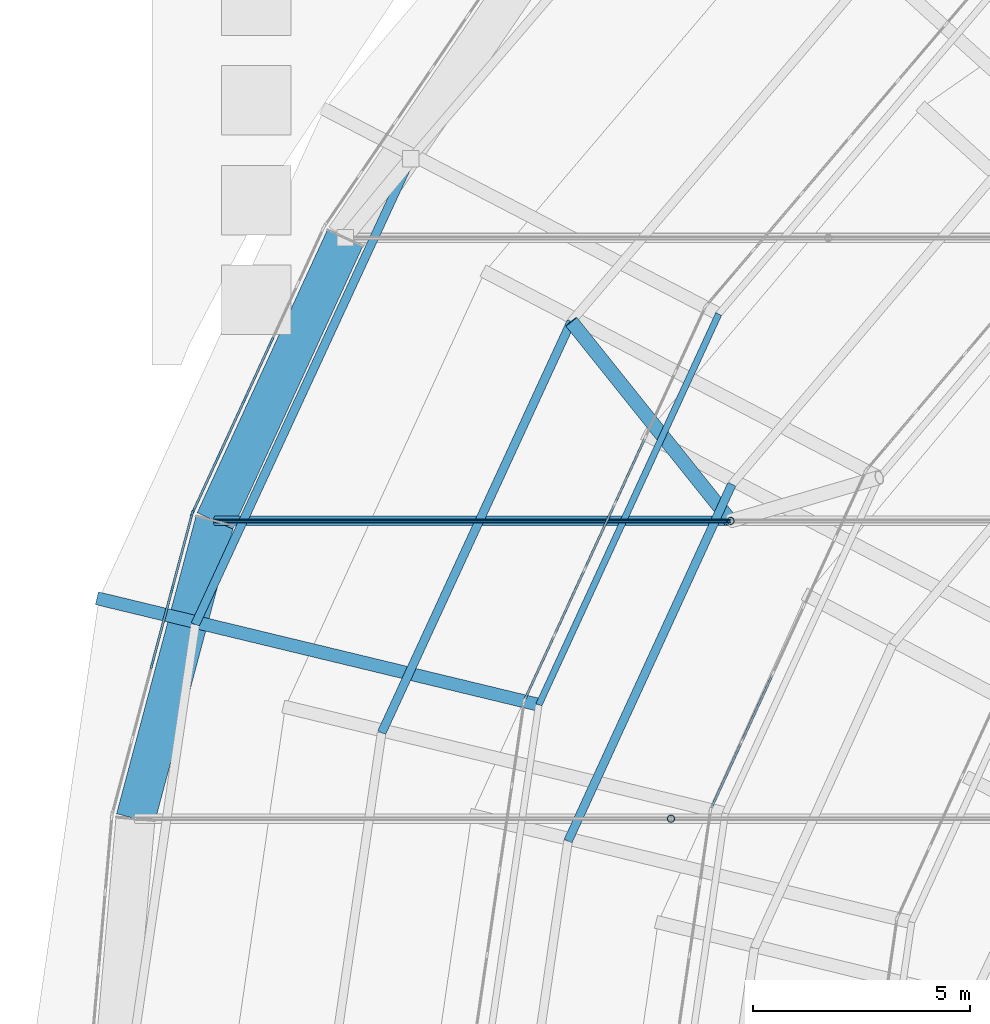
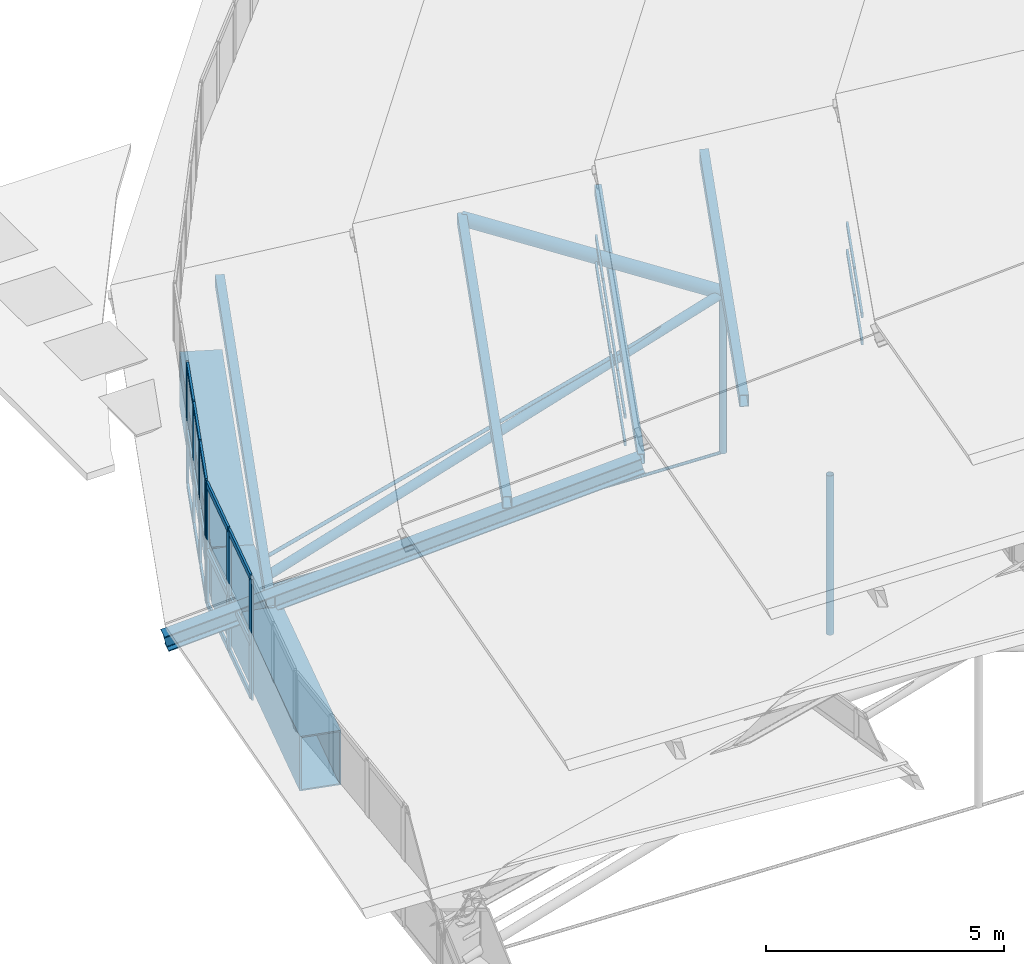
# One storey, part 43 of 173: 45 members, 2 beams, 4 elements without a shape of their own.
"""IFC4 building model written with IfcOpenShell, lengths in metres."""

import ifcopenshell
import ifcopenshell.guid

model = None  # the IFC model being written
_history = None  # IfcOwnerHistory: only IFC2X3 demands one
_inside = {}  # id of a spatial element -> (the spatial element, [elements in it])
_under = {}  # id of a project, library or spatial element -> (it, [spatial elements below it])
_declared = {}  # id of a project -> (the project, [libraries it declares])
_typed = {}  # id of a type object -> (the type object, [elements of that type])
_made_of = {}  # id of a material, layer set ... -> (it, [elements and type objects made of it])


def new_model(schema):
    """Start an empty IFC model of exactly this schema.

    Asked for "IFC4X3", IfcOpenShell would pick the latest addendum, in which some entities
    have other attributes; the version numbers below select the first issue.
    IFC2X3 requires an IfcOwnerHistory on every rooted entity: one is made here for all.
    """
    global model, _history
    if schema == "IFC4X3":
        model = ifcopenshell.file(schema_version=(4, 3, 0, 0))
    else:
        model = ifcopenshell.file(schema=schema)
    _inside.clear()
    _under.clear()
    _declared.clear()
    _typed.clear()
    _made_of.clear()
    _history = None
    if model.schema == "IFC2X3":
        org = make("IfcOrganization", Name="unknown")
        user = make(
            "IfcPersonAndOrganization",
            ThePerson=make("IfcPerson", FamilyName="unknown"),
            TheOrganization=org,
        )
        app = make(
            "IfcApplication",
            ApplicationDeveloper=org,
            Version="unknown",
            ApplicationFullName="unknown",
            ApplicationIdentifier="unknown",
        )
        _history = make(
            "IfcOwnerHistory",
            OwningUser=user,
            OwningApplication=app,
            ChangeAction="ADDED",
            CreationDate=0,
        )
    return model


def make(cls, **values):
    """One entity of the class cls with the attributes given. An attribute that is None is left unset."""
    return model.create_entity(
        cls, **{name: value for name, value in values.items() if value is not None}
    )


def rooted(cls, **values):
    """An entity with a GlobalId (a new one), such as an element, a storey or a relation."""
    return make(cls, GlobalId=ifcopenshell.guid.new(), OwnerHistory=_history, **values)


def si_unit(unit_type, name, prefix=None):
    """IfcSIUnit, for example si_unit("LENGTHUNIT", "METRE", prefix="MILLI")."""
    return make("IfcSIUnit", UnitType=unit_type, Prefix=prefix, Name=name)


def assignment(units):
    """IfcUnitAssignment: the units of a project."""
    return None if units is None else make("IfcUnitAssignment", Units=units)


def point(xyz):
    """IfcCartesianPoint."""
    return None if xyz is None else make("IfcCartesianPoint", Coordinates=xyz)


def direction(xyz):
    """IfcDirection."""
    return None if xyz is None else make("IfcDirection", DirectionRatios=xyz)


def frame(location, z_axis=None, x_axis=None):
    """IfcAxis2Placement3D, a coordinate frame: its origin and axes. An axis left out is left unset."""
    return make(
        "IfcAxis2Placement3D",
        Location=point(location),
        Axis=direction(z_axis),
        RefDirection=direction(x_axis),
    )


def frame_2d(location, x_axis=None):
    """IfcAxis2Placement2D, a coordinate frame in the plane: its origin and x axis."""
    return make(
        "IfcAxis2Placement2D", Location=point(location), RefDirection=direction(x_axis)
    )


def origin():
    """The frame at (0, 0, 0) with its axes left unset."""
    return frame((0.0, 0.0, 0.0))


def origin_2d():
    """The frame at (0, 0) in the plane with its x axis left unset."""
    return frame_2d((0.0, 0.0))


def place(relative_to, where):
    """IfcLocalPlacement: puts the frame where relative to a parent placement (None: the world)."""
    return make(
        "IfcLocalPlacement", PlacementRelTo=relative_to, RelativePlacement=where
    )


def context(
    kind, dimensions, precision=None, world=None, true_north=None, identifier=None
):
    """IfcGeometricRepresentationContext, for example the 3D "Model" context."""
    return make(
        "IfcGeometricRepresentationContext",
        ContextIdentifier=identifier,
        ContextType=kind,
        CoordinateSpaceDimension=dimensions,
        Precision=precision,
        WorldCoordinateSystem=world,
        TrueNorth=true_north,
    )


def subcontext(parent, identifier, kind, view, scale=None):
    """IfcGeometricRepresentationSubContext, for example "Body" below "Model"."""
    return make(
        "IfcGeometricRepresentationSubContext",
        ContextIdentifier=identifier,
        ContextType=kind,
        ParentContext=parent,
        TargetScale=scale,
        TargetView=view,
    )


def project(units=None, contexts=None):
    """IfcProject with its units and contexts."""
    return rooted(
        "IfcProject",
        Name="project",
        RepresentationContexts=contexts,
        UnitsInContext=assignment(units),
    )


def spatial(cls, under=None, at=None, **own):
    """A site, building, storey or space (cls), placed at a placement, below another one or the project."""
    s = rooted(cls, ObjectPlacement=at, **own)
    if under is not None:
        _under.setdefault(under.id(), (under, []))[1].append(s)
    return s


def profile(cls, at=None, kind="AREA", **sizes):
    """A parametric profile (cls). Its sizes go by their IFC names, for example OverallWidth=200.0."""
    return make(cls, ProfileType=kind, Position=at, **sizes)


def rectangle(**sizes):
    """IfcRectangleProfileDef."""
    return profile("IfcRectangleProfileDef", **sizes)


def hollow_rectangle(**sizes):
    """IfcRectangleHollowProfileDef."""
    return profile("IfcRectangleHollowProfileDef", **sizes)


def circle(**sizes):
    """IfcCircleProfileDef."""
    return profile("IfcCircleProfileDef", **sizes)


def hollow_circle(**sizes):
    """IfcCircleHollowProfileDef."""
    return profile("IfcCircleHollowProfileDef", **sizes)


def i_section(**sizes):
    """IfcIShapeProfileDef."""
    return profile("IfcIShapeProfileDef", **sizes)


def extrude(swept, where, along, depth):
    """IfcExtrudedAreaSolid: the profile swept, set in the frame where, extruded along a direction by depth."""
    return make(
        "IfcExtrudedAreaSolid",
        SweptArea=swept,
        Position=where,
        ExtrudedDirection=direction(along),
        Depth=depth,
    )


def shape(context_of_items, identifier, shape_type, items):
    """IfcShapeRepresentation: the items that make up one representation, for example the "Body"."""
    return make(
        "IfcShapeRepresentation",
        ContextOfItems=context_of_items,
        RepresentationIdentifier=identifier,
        RepresentationType=shape_type,
        Items=items,
    )


def material(Name=None, Category=None):
    """IfcMaterial."""
    return make("IfcMaterial", Name=Name, Category=Category)


def material_profile(
    of_material, cross_section, Name=None, Category=None, Priority=None
):
    """IfcMaterialProfile: a cross section and its material."""
    return make(
        "IfcMaterialProfile",
        Name=Name,
        Material=of_material,
        Profile=cross_section,
        Priority=Priority,
        Category=Category,
    )


def profile_set(profiles, Name=None, composite=None):
    """IfcMaterialProfileSet."""
    return make(
        "IfcMaterialProfileSet",
        Name=Name,
        MaterialProfiles=profiles,
        CompositeProfile=composite,
    )


def made_of(thing, what):
    """Note that an element or type object is made of a material, layer set ...; save() writes the relation."""
    if what is not None:
        _made_of.setdefault(what.id(), (what, []))[1].append(thing)
    return thing


def type_object(cls, material=None, **own):
    """A type object (cls), such as IfcWallType, which elements share."""
    return made_of(rooted(cls, **own), material)


def element(
    cls,
    number,
    at=None,
    inside=None,
    cuts=None,
    type_object=None,
    material=None,
    context=None,
    identifier="Body",
    shape_type=None,
    held_by="IfcProductDefinitionShape",
    body=None,
    shapes=None,
    **own,
):
    """One element of the class cls, such as IfcWall. Its Tag is "e" and its number.

    at: its placement. inside: the storey or other place that contains it. cuts: it is an
    opening in that element (IfcRelVoidsElement). A single representation is given by context,
    identifier, shape_type and body (its items); several are given by shapes. held_by: the class
    of the entity that holds the representations. save() writes the other relations.
    """
    e = rooted(cls, Tag="e%d" % number, ObjectPlacement=at, **own)
    if body is not None:
        shapes = [shape(context, identifier, shape_type, body)]
    if shapes is not None:
        e.Representation = make(held_by, Representations=shapes)
    if inside is not None:
        _inside.setdefault(inside.id(), (inside, []))[1].append(e)
    if cuts is not None:
        rooted(
            "IfcRelVoidsElement", RelatingBuildingElement=cuts, RelatedOpeningElement=e
        )
    if type_object is not None:
        _typed.setdefault(type_object.id(), (type_object, []))[1].append(e)
    return made_of(e, material)


def aggregate(whole, parts):
    """IfcRelAggregates: a whole, such as a stair, and the parts it consists of."""
    return rooted("IfcRelAggregates", RelatingObject=whole, RelatedObjects=parts)


def save(model, path):
    """Write the relations noted so far, then the file.

    IfcRelAggregates (storeys below a building ...), IfcRelContainedInSpatialStructure (elements
    in a storey), IfcRelDefinesByType, IfcRelAssociatesMaterial and IfcRelDeclares: one each for
    every whole, place, type object, material and project.
    """
    for whole, parts in _under.values():
        aggregate(whole, parts)
    for where, things in _inside.values():
        rooted(
            "IfcRelContainedInSpatialStructure",
            RelatedElements=things,
            RelatingStructure=where,
        )
    for kind, things in _typed.values():
        rooted("IfcRelDefinesByType", RelatedObjects=things, RelatingType=kind)
    for what, things in _made_of.values():
        rooted("IfcRelAssociatesMaterial", RelatedObjects=things, RelatingMaterial=what)
    for by, libraries in _declared.values():
        rooted("IfcRelDeclares", RelatingContext=by, RelatedDefinitions=libraries)
    model.write(path)


model = new_model("IFC4")

# Units and contexts
model_context = context("Model", 3, precision=1e-05, world=origin(), true_north=direction((0.0, 1.0)))
body_context = subcontext(model_context, "Body", "Model", "MODEL_VIEW")
ifc_project = project(units=[si_unit("LENGTHUNIT", "METRE"), si_unit("AREAUNIT", "SQUARE_METRE"), si_unit("VOLUMEUNIT", "CUBIC_METRE"), si_unit("PLANEANGLEUNIT", "RADIAN"), si_unit("MASSUNIT", "GRAM", prefix="KILO")], contexts=[model_context])

# Site, building, storey
site_placement = place(None, origin())
site = spatial("IfcSite", under=ifc_project, at=site_placement, CompositionType="ELEMENT")
building_placement = place(site_placement, origin())
building = spatial("IfcBuilding", under=site, at=building_placement, Name="Glasvene Arena", CompositionType="ELEMENT")
storey_placement = place(building_placement, frame((0.0, 0.0, 28.800048828125)))
storey = spatial("IfcBuildingStorey", under=building, at=storey_placement, Name="RF", CompositionType="ELEMENT", Elevation=28.800048828125)

# Beams
ifc_material_1 = material(Name="Steel S355J2", Category="steel")
ifc_material_profile_1 = material_profile(ifc_material_1, hollow_rectangle(XDim=0.89990234375, YDim=1.39990234375, WallThickness=0.034912109375, at=origin_2d()), Name="WBOX 900x1400x35")
ifc_profile_set_1 = profile_set([ifc_material_profile_1], Name="Steel S355J2")
beam_type = type_object("IfcBeamType", Name="BM-RING-BOX1400", PredefinedType="USERDEFINED", material=ifc_profile_set_1)
beam_1_placement = place(storey_placement, frame((47.44970703125, 93.4296875, -0.699951171875), z_axis=(-0.418070582056, -0.908414546569, 0.0), x_axis=(0.908414546569, -0.418070582056, 0.0)))
element("IfcBeam", 1, at=beam_1_placement, inside=storey, type_object=beam_type, Name="Compression ring beam chord RB-18", ObjectType="RING BEAM", PredefinedType="USERDEFINED", context=body_context, shape_type="SweptSolid", body=[
    extrude(hollow_rectangle(XDim=0.89990234375, YDim=1.39990234375, WallThickness=0.034912109375, at=origin_2d()), origin(), (0.0, 0.0, 1.0), 7.181640625),
])
beam_2_placement = place(storey_placement, frame((44.447265625, 86.90576171875, -0.699951171875), z_axis=(-0.257767425424, -0.966206993553, 0.0), x_axis=(0.966206993553, -0.257767425424, 0.0)))
element("IfcBeam", 2, at=beam_2_placement, inside=storey, type_object=beam_type, Name="Compression ring beam chord RB-19", ObjectType="RING BEAM", PredefinedType="USERDEFINED", context=body_context, shape_type="SweptSolid", body=[
    extrude(hollow_rectangle(XDim=0.89990234375, YDim=1.39990234375, WallThickness=0.034912109375, at=origin_2d()), origin(), (0.0, 0.0, 1.0), 7.1064453125),
])

# Curtain wall, members
ifc_material_2 = material(Name="Low-emissivity laminated double glazing", Category="glass")
curtain_wall_type_1 = type_object("IfcCurtainWallType", Name="CW-DRUM-727x310", PredefinedType="USERDEFINED", material=ifc_material_2)
curtain_wall_1_placement = place(storey_placement, frame((46.959716796875, 93.67919921875, 0.0)))
curtain_wall_1 = element("IfcCurtainWall", 3, at=curtain_wall_1_placement, inside=storey, type_object=curtain_wall_type_1, Name="Crown compression-ring fascia curtain wall 18", ObjectType="CURTAIN WALL", PredefinedType="USERDEFINED")
ifc_material_3 = material(Name="Anodised architectural aluminium", Category="aluminium")
ifc_material_profile_2 = material_profile(ifc_material_3, rectangle(XDim=0.050048828125, YDim=0.199951171875, at=origin_2d()), Name="ALU MULLION 50x200")
ifc_profile_set_2 = profile_set([ifc_material_profile_2], Name="Anodised architectural aluminium")
member_type_1 = type_object("IfcMemberType", Name="CW-MUL-180", PredefinedType="MULLION", material=ifc_profile_set_2)
member_1_placement = place(storey_placement, frame((45.745361328125, 91.037841796875, -1.380126953125), z_axis=(0.0, 0.0, 1.0), x_axis=(0.908603046232, -0.417660752738, 0.0)))
member_1 = element("IfcMember", 4, at=member_1_placement, type_object=member_type_1, Name="CW-073 mullion 3", PredefinedType="MULLION", context=body_context, shape_type="SweptSolid", body=[
    extrude(rectangle(XDim=0.050048828125, YDim=0.199951171875, at=origin_2d()), origin(), (0.0, 0.0, 1.0), 3.10009765625),
])
member_2_placement = place(storey_placement, frame((45.13818359375, 89.717041015625, -1.380126953125), z_axis=(0.0, 0.0, 1.0), x_axis=(0.908603046232, -0.417660752738, 0.0)))
member_2 = element("IfcMember", 5, at=member_2_placement, type_object=member_type_1, Name="CW-073 mullion 4", PredefinedType="MULLION", context=body_context, shape_type="SweptSolid", body=[
    extrude(rectangle(XDim=0.050048828125, YDim=0.199951171875, at=origin_2d()), origin(), (0.0, 0.0, 1.0), 3.10009765625),
])
member_3_placement = place(storey_placement, frame((44.53125, 88.396484375, -1.380126953125), z_axis=(0.0, 0.0, 1.0), x_axis=(0.908603046232, -0.417660752738, 0.0)))
member_3 = element("IfcMember", 6, at=member_3_placement, type_object=member_type_1, Name="CW-073 mullion 5", PredefinedType="MULLION", context=body_context, shape_type="SweptSolid", body=[
    extrude(rectangle(XDim=0.050048828125, YDim=0.199951171875, at=origin_2d()), origin(), (0.0, 0.0, 1.0), 3.10009765625),
])
member_4_placement = place(storey_placement, frame((43.9345703125, 87.098388671875, -1.380126953125), z_axis=(0.0, 0.0, 1.0), x_axis=(0.908603046232, -0.417660752738, 0.0)))
member_4 = element("IfcMember", 7, at=member_4_placement, type_object=member_type_1, Name="CW-073 mullion 6", PredefinedType="MULLION", context=body_context, shape_type="SweptSolid", body=[
    extrude(rectangle(XDim=0.050048828125, YDim=0.199951171875, at=origin_2d()), origin(), (0.0, 0.0, 1.0), 3.10009765625),
])

curtain_wall_type_2 = type_object("IfcCurtainWallType", Name="CW-DRUM-719x310", PredefinedType="USERDEFINED", material=ifc_material_2)
curtain_wall_2_placement = place(storey_placement, frame((43.924072265625, 87.07568359375, 0.0)))
curtain_wall_2 = element("IfcCurtainWall", 8, at=curtain_wall_2_placement, inside=storey, type_object=curtain_wall_type_2, Name="Crown compression-ring fascia curtain wall 19", ObjectType="CURTAIN WALL", PredefinedType="USERDEFINED")
member_5_placement = place(storey_placement, frame((43.917724609375, 87.051513671875, -1.380126953125), z_axis=(0.0, 0.0, 1.0), x_axis=(0.966292374807, -0.257447172039, 0.0)))
member_5 = element("IfcMember", 9, at=member_5_placement, type_object=member_type_1, Name="CW-072 mullion 1", PredefinedType="MULLION", context=body_context, shape_type="SweptSolid", body=[
    extrude(rectangle(XDim=0.050048828125, YDim=0.199951171875, at=origin_2d()), origin(), (0.0, 0.0, 1.0), 3.10009765625),
])
member_6_placement = place(storey_placement, frame((43.461181640625, 85.338134765625, -1.380126953125), z_axis=(0.0, 0.0, 1.0), x_axis=(0.966292374807, -0.257447172039, 0.0)))
member_6 = element("IfcMember", 10, at=member_6_placement, type_object=member_type_1, Name="CW-072 mullion 2", PredefinedType="MULLION", context=body_context, shape_type="SweptSolid", body=[
    extrude(rectangle(XDim=0.050048828125, YDim=0.199951171875, at=origin_2d()), origin(), (0.0, 0.0, 1.0), 3.10009765625),
])
member_7_placement = place(storey_placement, frame((42.998291015625, 83.6005859375, -1.380126953125), z_axis=(0.0, 0.0, 1.0), x_axis=(0.966292374807, -0.257447172039, 0.0)))
member_7 = element("IfcMember", 11, at=member_7_placement, type_object=member_type_1, Name="CW-072 mullion 3", PredefinedType="MULLION", context=body_context, shape_type="SweptSolid", body=[
    extrude(rectangle(XDim=0.050048828125, YDim=0.199951171875, at=origin_2d()), origin(), (0.0, 0.0, 1.0), 3.10009765625),
])

curtain_wall_type_3 = type_object("IfcCurtainWallType", Name="CW-PET1-1001x75", PredefinedType="USERDEFINED", material=ifc_material_2)
curtain_wall_3_placement = place(storey_placement, frame((55.7568359375, 91.85009765625, 0.0)))
curtain_wall_3 = element("IfcCurtainWall", 12, at=curtain_wall_3_placement, inside=storey, type_object=curtain_wall_type_3, Name="Petal ring 1-2 clerestory curtain wall 11", ObjectType="CURTAIN WALL", PredefinedType="USERDEFINED")
ifc_material_profile_3 = material_profile(ifc_material_3, rectangle(XDim=0.050048828125, YDim=0.1201171875, at=origin_2d()), Name="ALU TRANSOM 50x120")
ifc_profile_set_3 = profile_set([ifc_material_profile_3], Name="Anodised architectural aluminium")
member_type_2 = type_object("IfcMemberType", Name="CW-TRN-120", PredefinedType="USERDEFINED", material=ifc_profile_set_3)
member_8_placement = place(storey_placement, frame((54.352783203125, 88.79638671875, 2.60498046875), z_axis=(-0.417823409802, -0.908528259451, 0.0), x_axis=(0.908528259451, -0.417823409802, 0.0)))
member_8 = element("IfcMember", 13, at=member_8_placement, type_object=member_type_2, Name="CW-082 transom 3.1", ObjectType="TRANSOM", PredefinedType="USERDEFINED", context=body_context, shape_type="SweptSolid", body=[
    extrude(rectangle(XDim=0.050048828125, YDim=0.1201171875, at=origin_2d()), origin(), (0.0, 0.0, 1.0), 1.617919921875),
])
member_9_placement = place(storey_placement, frame((54.352783203125, 88.79638671875, 3.304931640625), z_axis=(-0.417823409802, -0.908528259451, 0.0), x_axis=(0.908528259451, -0.417823409802, 0.0)))
member_9 = element("IfcMember", 14, at=member_9_placement, type_object=member_type_2, Name="CW-082 transom 3.2", ObjectType="TRANSOM", PredefinedType="USERDEFINED", context=body_context, shape_type="SweptSolid", body=[
    extrude(rectangle(XDim=0.050048828125, YDim=0.1201171875, at=origin_2d()), origin(), (0.0, 0.0, 1.0), 1.617919921875),
])
member_10_placement = place(storey_placement, frame((53.656005859375, 87.281005859375, 2.60498046875), z_axis=(-0.417823409802, -0.908528259451, 0.0), x_axis=(0.908528259451, -0.417823409802, 0.0)))
member_10 = element("IfcMember", 15, at=member_10_placement, type_object=member_type_2, Name="CW-082 transom 4.1", ObjectType="TRANSOM", PredefinedType="USERDEFINED", context=body_context, shape_type="SweptSolid", body=[
    extrude(rectangle(XDim=0.050048828125, YDim=0.1201171875, at=origin_2d()), origin(), (0.0, 0.0, 1.0), 1.617919921875),
])
member_11_placement = place(storey_placement, frame((53.656005859375, 87.281005859375, 3.304931640625), z_axis=(-0.417823409802, -0.908528259451, 0.0), x_axis=(0.908528259451, -0.417823409802, 0.0)))
member_11 = element("IfcMember", 16, at=member_11_placement, type_object=member_type_2, Name="CW-082 transom 4.2", ObjectType="TRANSOM", PredefinedType="USERDEFINED", context=body_context, shape_type="SweptSolid", body=[
    extrude(rectangle(XDim=0.050048828125, YDim=0.1201171875, at=origin_2d()), origin(), (0.0, 0.0, 1.0), 1.617919921875),
])
member_12_placement = place(storey_placement, frame((52.959228515625, 85.765625, 2.60498046875), z_axis=(-0.417823409802, -0.908528259451, 0.0), x_axis=(0.908528259451, -0.417823409802, 0.0)))
member_12 = element("IfcMember", 17, at=member_12_placement, type_object=member_type_2, Name="CW-082 transom 5.1", ObjectType="TRANSOM", PredefinedType="USERDEFINED", context=body_context, shape_type="SweptSolid", body=[
    extrude(rectangle(XDim=0.050048828125, YDim=0.1201171875, at=origin_2d()), origin(), (0.0, 0.0, 1.0), 1.617919921875),
])
member_13_placement = place(storey_placement, frame((52.959228515625, 85.765625, 3.304931640625), z_axis=(-0.417823409802, -0.908528259451, 0.0), x_axis=(0.908528259451, -0.417823409802, 0.0)))
member_13 = element("IfcMember", 18, at=member_13_placement, type_object=member_type_2, Name="CW-082 transom 5.2", ObjectType="TRANSOM", PredefinedType="USERDEFINED", context=body_context, shape_type="SweptSolid", body=[
    extrude(rectangle(XDim=0.050048828125, YDim=0.1201171875, at=origin_2d()), origin(), (0.0, 0.0, 1.0), 1.617919921875),
])
member_14_placement = place(storey_placement, frame((52.262451171875, 84.250244140625, 2.60498046875), z_axis=(-0.417794288464, -0.908541651509, 0.0), x_axis=(0.908541651509, -0.417794288464, 0.0)))
member_14 = element("IfcMember", 19, at=member_14_placement, type_object=member_type_2, Name="CW-082 transom 6.1", ObjectType="TRANSOM", PredefinedType="USERDEFINED", context=body_context, shape_type="SweptSolid", body=[
    extrude(rectangle(XDim=0.050048828125, YDim=0.1201171875, at=origin_2d()), origin(), (0.0, 0.0, 1.0), 1.593017578125),
])
member_15_placement = place(storey_placement, frame((52.262451171875, 84.250244140625, 3.304931640625), z_axis=(-0.417794288464, -0.908541651509, 0.0), x_axis=(0.908541651509, -0.417794288464, 0.0)))
member_15 = element("IfcMember", 20, at=member_15_placement, type_object=member_type_2, Name="CW-082 transom 6.2", ObjectType="TRANSOM", PredefinedType="USERDEFINED", context=body_context, shape_type="SweptSolid", body=[
    extrude(rectangle(XDim=0.050048828125, YDim=0.1201171875, at=origin_2d()), origin(), (0.0, 0.0, 1.0), 1.593017578125),
])
aggregate(curtain_wall_3, [member_8, member_9, member_10, member_11, member_12, member_13, member_14, member_15])

curtain_wall_type_4 = type_object("IfcCurtainWallType", Name="CW-PET2-861x75", PredefinedType="USERDEFINED", material=ifc_material_2)
curtain_wall_4_placement = place(storey_placement, frame((59.459716796875, 88.074951171875, 0.0)))
curtain_wall_4 = element("IfcCurtainWall", 21, at=curtain_wall_4_placement, inside=storey, type_object=curtain_wall_type_4, Name="Petal ring 2-3 clerestory curtain wall 11", ObjectType="CURTAIN WALL", PredefinedType="USERDEFINED")
member_16_placement = place(storey_placement, frame((57.29736328125, 83.3564453125, 5.204833984375), z_axis=(-0.416518928458, -0.909127044057, 0.0), x_axis=(0.909127044057, -0.416518928458, 0.0)))
member_16 = element("IfcMember", 22, at=member_16_placement, type_object=member_type_2, Name="CW-088 transom 4.1", ObjectType="TRANSOM", PredefinedType="USERDEFINED", context=body_context, shape_type="SweptSolid", body=[
    extrude(rectangle(XDim=0.050048828125, YDim=0.1201171875, at=origin_2d()), origin(), (0.0, 0.0, 1.0), 1.671630859375),
])
member_17_placement = place(storey_placement, frame((57.29736328125, 83.3564453125, 5.905029296875), z_axis=(-0.416518928458, -0.909127044057, 0.0), x_axis=(0.909127044057, -0.416518928458, 0.0)))
member_17 = element("IfcMember", 23, at=member_17_placement, type_object=member_type_2, Name="CW-088 transom 4.2", ObjectType="TRANSOM", PredefinedType="USERDEFINED", context=body_context, shape_type="SweptSolid", body=[
    extrude(rectangle(XDim=0.050048828125, YDim=0.1201171875, at=origin_2d()), origin(), (0.0, 0.0, 1.0), 1.671630859375),
])
member_18_placement = place(storey_placement, frame((56.580078125, 81.791259765625, 5.204833984375), z_axis=(-0.416593451122, -0.909092897609, 0.0), x_axis=(0.909092897609, -0.416593451122, 0.0)))
member_18 = element("IfcMember", 24, at=member_18_placement, type_object=member_type_2, Name="CW-088 transom 5.1", ObjectType="TRANSOM", PredefinedType="USERDEFINED", context=body_context, shape_type="SweptSolid", body=[
    extrude(rectangle(XDim=0.050048828125, YDim=0.1201171875, at=origin_2d()), origin(), (0.0, 0.0, 1.0), 1.646728515625),
])
member_19_placement = place(storey_placement, frame((56.580078125, 81.791259765625, 5.905029296875), z_axis=(-0.416593451122, -0.909092897609, 0.0), x_axis=(0.909092897609, -0.416593451122, 0.0)))
member_19 = element("IfcMember", 25, at=member_19_placement, type_object=member_type_2, Name="CW-088 transom 5.2", ObjectType="TRANSOM", PredefinedType="USERDEFINED", context=body_context, shape_type="SweptSolid", body=[
    extrude(rectangle(XDim=0.050048828125, YDim=0.1201171875, at=origin_2d()), origin(), (0.0, 0.0, 1.0), 1.646728515625),
])
aggregate(curtain_wall_4, [member_16, member_17, member_18, member_19])

# Member
ifc_material_profile_4 = material_profile(ifc_material_3, rectangle(XDim=0.050048828125, YDim=0.14990234375, at=origin_2d()), Name="ALU TRANSOM 50x150")
ifc_profile_set_4 = profile_set([ifc_material_profile_4], Name="Anodised architectural aluminium")
member_type_3 = type_object("IfcMemberType", Name="CW-TRN-150", PredefinedType="USERDEFINED", material=ifc_profile_set_4)
member_20_placement = place(storey_placement, frame((45.73486328125, 91.01513671875, -1.35498046875), z_axis=(-0.417612731634, -0.908625118724, 0.0), x_axis=(0.908625118724, -0.417612731634, 0.0)))
member_20 = element("IfcMember", 26, at=member_20_placement, type_object=member_type_3, Name="CW-073 transom 3.1", ObjectType="TRANSOM", PredefinedType="USERDEFINED", context=body_context, shape_type="SweptSolid", body=[
    extrude(rectangle(XDim=0.050048828125, YDim=0.14990234375, at=origin_2d()), origin(), (0.0, 0.0, 1.0), 1.403564453125),
])

member_21_placement = place(storey_placement, frame((45.73486328125, 91.01513671875, 0.02001953125), z_axis=(-0.417612731634, -0.908625118724, 0.0), x_axis=(0.908625118724, -0.417612731634, 0.0)))
member_21 = element("IfcMember", 27, at=member_21_placement, type_object=member_type_3, Name="CW-073 transom 3.2", ObjectType="TRANSOM", PredefinedType="USERDEFINED", context=body_context, shape_type="SweptSolid", body=[
    extrude(rectangle(XDim=0.050048828125, YDim=0.14990234375, at=origin_2d()), origin(), (0.0, 0.0, 1.0), 1.403564453125),
])

member_22_placement = place(storey_placement, frame((45.73486328125, 91.01513671875, 1.695068359375), z_axis=(-0.417612731634, -0.908625118724, 0.0), x_axis=(0.908625118724, -0.417612731634, 0.0)))
member_22 = element("IfcMember", 28, at=member_22_placement, type_object=member_type_3, Name="CW-073 transom 3.3", ObjectType="TRANSOM", PredefinedType="USERDEFINED", context=body_context, shape_type="SweptSolid", body=[
    extrude(rectangle(XDim=0.050048828125, YDim=0.14990234375, at=origin_2d()), origin(), (0.0, 0.0, 1.0), 1.403564453125),
])

member_23_placement = place(storey_placement, frame((45.1279296875, 89.6943359375, -1.35498046875), z_axis=(-0.417678740372, -0.908594777578, 0.0), x_axis=(0.908594777578, -0.417678740372, 0.0)))
member_23 = element("IfcMember", 29, at=member_23_placement, type_object=member_type_3, Name="CW-073 transom 4.1", ObjectType="TRANSOM", PredefinedType="USERDEFINED", context=body_context, shape_type="SweptSolid", body=[
    extrude(rectangle(XDim=0.050048828125, YDim=0.14990234375, at=origin_2d()), origin(), (0.0, 0.0, 1.0), 1.4033203125),
])

member_24_placement = place(storey_placement, frame((45.1279296875, 89.6943359375, 0.02001953125), z_axis=(-0.417678740372, -0.908594777578, 0.0), x_axis=(0.908594777578, -0.417678740372, 0.0)))
member_24 = element("IfcMember", 30, at=member_24_placement, type_object=member_type_3, Name="CW-073 transom 4.2", ObjectType="TRANSOM", PredefinedType="USERDEFINED", context=body_context, shape_type="SweptSolid", body=[
    extrude(rectangle(XDim=0.050048828125, YDim=0.14990234375, at=origin_2d()), origin(), (0.0, 0.0, 1.0), 1.4033203125),
])

member_25_placement = place(storey_placement, frame((45.1279296875, 89.6943359375, 1.695068359375), z_axis=(-0.417678740372, -0.908594777578, 0.0), x_axis=(0.908594777578, -0.417678740372, 0.0)))
member_25 = element("IfcMember", 31, at=member_25_placement, type_object=member_type_3, Name="CW-073 transom 4.3", ObjectType="TRANSOM", PredefinedType="USERDEFINED", context=body_context, shape_type="SweptSolid", body=[
    extrude(rectangle(XDim=0.050048828125, YDim=0.14990234375, at=origin_2d()), origin(), (0.0, 0.0, 1.0), 1.4033203125),
])

member_26_placement = place(storey_placement, frame((44.520751953125, 88.373779296875, -1.35498046875), z_axis=(-0.417575256607, -0.908642341667, 0.0), x_axis=(0.908642341667, -0.417575256607, 0.0)))
member_26 = element("IfcMember", 32, at=member_26_placement, type_object=member_type_3, Name="CW-073 transom 5.1", ObjectType="TRANSOM", PredefinedType="USERDEFINED", context=body_context, shape_type="SweptSolid", body=[
    extrude(rectangle(XDim=0.050048828125, YDim=0.14990234375, at=origin_2d()), origin(), (0.0, 0.0, 1.0), 1.378662109375),
])

member_27_placement = place(storey_placement, frame((44.520751953125, 88.373779296875, 0.02001953125), z_axis=(-0.417575256607, -0.908642341667, 0.0), x_axis=(0.908642341667, -0.417575256607, 0.0)))
member_27 = element("IfcMember", 33, at=member_27_placement, type_object=member_type_3, Name="CW-073 transom 5.2", ObjectType="TRANSOM", PredefinedType="USERDEFINED", context=body_context, shape_type="SweptSolid", body=[
    extrude(rectangle(XDim=0.050048828125, YDim=0.14990234375, at=origin_2d()), origin(), (0.0, 0.0, 1.0), 1.378662109375),
])

member_28_placement = place(storey_placement, frame((44.520751953125, 88.373779296875, 1.695068359375), z_axis=(-0.417575256607, -0.908642341667, 0.0), x_axis=(0.908642341667, -0.417575256607, 0.0)))
member_28 = element("IfcMember", 34, at=member_28_placement, type_object=member_type_3, Name="CW-073 transom 5.3", ObjectType="TRANSOM", PredefinedType="USERDEFINED", context=body_context, shape_type="SweptSolid", body=[
    extrude(rectangle(XDim=0.050048828125, YDim=0.14990234375, at=origin_2d()), origin(), (0.0, 0.0, 1.0), 1.378662109375),
])

aggregate(curtain_wall_1, [member_1, member_2, member_3, member_4, member_20, member_21, member_22, member_23, member_24, member_25, member_26, member_27, member_28])

member_29_placement = place(storey_placement, frame((43.9111328125, 87.02734375, -1.35498046875), z_axis=(-0.257442179184, -0.966293705028, 0.0), x_axis=(0.966293705028, -0.257442179184, 0.0)))
member_29 = element("IfcMember", 35, at=member_29_placement, type_object=member_type_3, Name="CW-072 transom 1.1", ObjectType="TRANSOM", PredefinedType="USERDEFINED", context=body_context, shape_type="SweptSolid", body=[
    extrude(rectangle(XDim=0.050048828125, YDim=0.14990234375, at=origin_2d()), origin(), (0.0, 0.0, 1.0), 1.72314453125),
])

member_30_placement = place(storey_placement, frame((43.9111328125, 87.02734375, 0.02001953125), z_axis=(-0.257442179184, -0.966293705028, 0.0), x_axis=(0.966293705028, -0.257442179184, 0.0)))
member_30 = element("IfcMember", 36, at=member_30_placement, type_object=member_type_3, Name="CW-072 transom 1.2", ObjectType="TRANSOM", PredefinedType="USERDEFINED", context=body_context, shape_type="SweptSolid", body=[
    extrude(rectangle(XDim=0.050048828125, YDim=0.14990234375, at=origin_2d()), origin(), (0.0, 0.0, 1.0), 1.72314453125),
])

member_31_placement = place(storey_placement, frame((43.9111328125, 87.02734375, 1.695068359375), z_axis=(-0.257442179184, -0.966293705028, 0.0), x_axis=(0.966293705028, -0.257442179184, 0.0)))
member_31 = element("IfcMember", 37, at=member_31_placement, type_object=member_type_3, Name="CW-072 transom 1.3", ObjectType="TRANSOM", PredefinedType="USERDEFINED", context=body_context, shape_type="SweptSolid", body=[
    extrude(rectangle(XDim=0.050048828125, YDim=0.14990234375, at=origin_2d()), origin(), (0.0, 0.0, 1.0), 1.72314453125),
])

member_32_placement = place(storey_placement, frame((43.454833984375, 85.31396484375, -1.35498046875), z_axis=(-0.257523572506, -0.966272016362, 0.0), x_axis=(0.966272016362, -0.257523572506, 0.0)))
member_32 = element("IfcMember", 38, at=member_32_placement, type_object=member_type_3, Name="CW-072 transom 2.1", ObjectType="TRANSOM", PredefinedType="USERDEFINED", context=body_context, shape_type="SweptSolid", body=[
    extrude(rectangle(XDim=0.050048828125, YDim=0.14990234375, at=origin_2d()), origin(), (0.0, 0.0, 1.0), 1.748291015625),
])

member_33_placement = place(storey_placement, frame((43.454833984375, 85.31396484375, 0.02001953125), z_axis=(-0.257523572506, -0.966272016362, 0.0), x_axis=(0.966272016362, -0.257523572506, 0.0)))
member_33 = element("IfcMember", 39, at=member_33_placement, type_object=member_type_3, Name="CW-072 transom 2.2", ObjectType="TRANSOM", PredefinedType="USERDEFINED", context=body_context, shape_type="SweptSolid", body=[
    extrude(rectangle(XDim=0.050048828125, YDim=0.14990234375, at=origin_2d()), origin(), (0.0, 0.0, 1.0), 1.748291015625),
])

member_34_placement = place(storey_placement, frame((43.454833984375, 85.31396484375, 1.695068359375), z_axis=(-0.257523572506, -0.966272016362, 0.0), x_axis=(0.966272016362, -0.257523572506, 0.0)))
member_34 = element("IfcMember", 40, at=member_34_placement, type_object=member_type_3, Name="CW-072 transom 2.3", ObjectType="TRANSOM", PredefinedType="USERDEFINED", context=body_context, shape_type="SweptSolid", body=[
    extrude(rectangle(XDim=0.050048828125, YDim=0.14990234375, at=origin_2d()), origin(), (0.0, 0.0, 1.0), 1.748291015625),
])

aggregate(curtain_wall_2, [member_5, member_6, member_7, member_29, member_30, member_31, member_32, member_33, member_34])

# Members
ifc_material_4 = material(Name="High-strength steel spiral strand S460", Category="steel")
ifc_material_profile_5 = material_profile(ifc_material_4, circle(Radius=0.03759765625, at=origin_2d()), Name="LCSS D75")
ifc_profile_set_5 = profile_set([ifc_material_profile_5], Name="High-strength steel spiral strand S460")
member_type_4 = type_object("IfcMemberType", Name="MB-CABLE-75", PredefinedType="USERDEFINED", material=ifc_profile_set_5)
member_35_placement = place(storey_placement, frame((44.447265625, 86.90576171875, -1.320068359375), z_axis=(0.999337029386, 0.0, -0.036407440139), x_axis=(0.0, 1.0, 0.0)))
element("IfcMember", 41, at=member_35_placement, inside=storey, type_object=member_type_4, Name="Lower stabilization roof cable EW06-01", ObjectType="ROOF CABLE", PredefinedType="USERDEFINED", context=body_context, shape_type="SweptSolid", body=[
    extrude(circle(Radius=0.03759765625, at=origin_2d()), origin(), (0.0, 0.0, 1.0), 11.89599609375),
])
ifc_material_profile_6 = material_profile(ifc_material_4, circle(Radius=0.044921875, at=origin_2d()), Name="LCSS D90")
ifc_profile_set_6 = profile_set([ifc_material_profile_6], Name="High-strength steel spiral strand S460")
member_type_5 = type_object("IfcMemberType", Name="MB-CABLE-90", PredefinedType="USERDEFINED", material=ifc_profile_set_6)
member_36_placement = place(storey_placement, frame((44.447265625, 86.90576171875, -0.780029296875), z_axis=(0.967465606965, 0.0, 0.253002567854), x_axis=(0.0, 1.0, 0.0)))
element("IfcMember", 42, at=member_36_placement, inside=storey, type_object=member_type_5, Name="Upper lens roof cable EW06-01", ObjectType="ROOF CABLE", PredefinedType="USERDEFINED", context=body_context, shape_type="SweptSolid", body=[
    extrude(circle(Radius=0.044921875, at=origin_2d()), origin(), (0.0, 0.0, 1.0), 12.2880859375),
])
ifc_material_profile_7 = material_profile(ifc_material_1, i_section(OverallWidth=0.300048828125, OverallDepth=0.39990234375, WebThickness=0.013427734375, FlangeThickness=0.02392578125, FilletRadius=0.027099609375, at=origin_2d()), Name="HEB 400")
ifc_profile_set_7 = profile_set([ifc_material_profile_7], Name="Steel S355J2")
member_type_6 = type_object("IfcMemberType", Name="MB-CHORD-HEB400", PredefinedType="CHORD", material=ifc_profile_set_7)
member_37_placement = place(storey_placement, frame((41.77197265625, 85.11279296875, -0.400146484375), z_axis=(0.945368761704, -0.227979015328, 0.233031055795), x_axis=(0.234433124854, 0.972132249219, 0.0)))
element("IfcMember", 43, at=member_37_placement, inside=storey, type_object=member_type_6, Name="Petal ring 1 radial rib 12", PredefinedType="CHORD", context=body_context, shape_type="SweptSolid", body=[
    extrude(i_section(OverallWidth=0.300048828125, OverallDepth=0.39990234375, WebThickness=0.013427734375, FlangeThickness=0.02392578125, FilletRadius=0.027099609375, at=origin_2d()), origin(), (0.0, 0.0, 1.0), 10.728271484375),
])
ifc_material_profile_8 = material_profile(ifc_material_1, hollow_circle(Radius=0.161865234375, WallThickness=0.01611328125, at=origin_2d()), Name="CHS 323.9x16.0")
ifc_profile_set_8 = profile_set([ifc_material_profile_8], Name="Steel S355J2")
member_type_7 = type_object("IfcMemberType", Name="MB-POST-CHS324", PredefinedType="BRACE", material=ifc_profile_set_8)
member_38_placement = place(storey_placement, frame((56.33544921875, 86.90576171875, 2.328857421875), z_axis=(-0.623122000792, 0.779181992884, 0.067781959951), x_axis=(-0.780978118915, -0.624558386202, 0.0)))
element("IfcMember", 44, at=member_38_placement, inside=storey, type_object=member_type_7, Name="Petal ring 2 outer support post 11", PredefinedType="BRACE", context=body_context, shape_type="SweptSolid", body=[
    extrude(hollow_circle(Radius=0.161865234375, WallThickness=0.01611328125, at=origin_2d()), origin(), (0.0, 0.0, 1.0), 5.896240234375),
])
ifc_material_profile_9 = material_profile(ifc_material_1, hollow_rectangle(XDim=0.14990234375, YDim=0.25, WallThickness=0.010009765625, at=origin_2d()), Name="RHS 250x150x10.0")
ifc_profile_set_9 = profile_set([ifc_material_profile_9], Name="Steel S355J2")
member_type_8 = type_object("IfcMemberType", Name="MB-PURLIN-RHS250", PredefinedType="PURLIN", material=ifc_profile_set_9)
member_39_placement = place(storey_placement, frame((56.06005859375, 91.675048828125, 2.181884765625), z_axis=(-0.418096202574, -0.908402755056, 0.0), x_axis=(0.908402755056, -0.418096202574, 0.0)))
element("IfcMember", 45, at=member_39_placement, inside=storey, type_object=member_type_8, Name="Petal ring 1 ridge purlin 11", PredefinedType="PURLIN", context=body_context, shape_type="SweptSolid", body=[
    extrude(hollow_rectangle(XDim=0.14990234375, YDim=0.25, WallThickness=0.010009765625, at=origin_2d()), origin(), (0.0, 0.0, 1.0), 9.916259765625),
])
ifc_material_profile_10 = material_profile(ifc_material_1, hollow_rectangle(XDim=0.199951171875, YDim=0.300048828125, WallThickness=0.012451171875, at=origin_2d()), Name="RHS 300x200x12.5")
ifc_profile_set_10 = profile_set([ifc_material_profile_10], Name="Steel S355J2")
member_type_9 = type_object("IfcMemberType", Name="MB-PURLIN-RHS300", PredefinedType="PURLIN", material=ifc_profile_set_10)
member_40_placement = place(storey_placement, frame((48.95849609375, 95.25, 0.16748046875), z_axis=(-0.419863178839, -0.907587412349, 0.0), x_axis=(0.907587412349, -0.419863178839, 0.0)))
element("IfcMember", 46, at=member_40_placement, inside=storey, type_object=member_type_9, Name="Petal ring 1 outer purlin 11", PredefinedType="PURLIN", context=body_context, shape_type="SweptSolid", body=[
    extrude(hollow_rectangle(XDim=0.199951171875, YDim=0.300048828125, WallThickness=0.012451171875, at=origin_2d()), origin(), (0.0, 0.0, 1.0), 11.825439453125),
])
member_41_placement = place(storey_placement, frame((52.661376953125, 91.5, 2.728515625), z_axis=(-0.418734792983, -0.90810856903, 0.0), x_axis=(0.90810856903, -0.418734792983, 0.0)))
element("IfcMember", 47, at=member_41_placement, inside=storey, type_object=member_type_9, Name="Petal ring 2 outer purlin 11", PredefinedType="PURLIN", context=body_context, shape_type="SweptSolid", body=[
    extrude(hollow_rectangle(XDim=0.199951171875, YDim=0.300048828125, WallThickness=0.012451171875, at=origin_2d()), origin(), (0.0, 0.0, 1.0), 10.437744140625),
])
member_42_placement = place(storey_placement, frame((56.3642578125, 87.75, 5.33935546875), z_axis=(-0.417281625524, -0.908777225177, 0.0), x_axis=(0.908777225177, -0.417281625524, 0.0)))
element("IfcMember", 48, at=member_42_placement, inside=storey, type_object=member_type_9, Name="Petal ring 3 outer purlin 11", PredefinedType="PURLIN", context=body_context, shape_type="SweptSolid", body=[
    extrude(hollow_rectangle(XDim=0.199951171875, YDim=0.300048828125, WallThickness=0.012451171875, at=origin_2d()), origin(), (0.0, 0.0, 1.0), 9.0498046875),
])
ifc_material_profile_11 = material_profile(ifc_material_1, hollow_circle(Radius=0.084228515625, WallThickness=0.008056640625, at=origin_2d()), Name="CHS 168.3x8.0")
ifc_profile_set_11 = profile_set([ifc_material_profile_11], Name="Steel S355J2")
member_type_10 = type_object("IfcMemberType", Name="MB-WEB-CHS168", PredefinedType="BRACE", material=ifc_profile_set_11)
for number, where, z_axis, x_axis, name in (
    (49, (54.961669921875, 80.03955078125, -1.753173828125), (0.0, 0.0, 1.0), (1.0, 0.0, 0.0), "Cable-truss vertical strut EW05-01"),
    (50, (56.33544921875, 86.90576171875, -1.753173828125), (0.0, 0.0, 1.0), (1.0, 0.0, 0.0), "Cable-truss vertical strut EW06-01"),
):
    element("IfcMember", number, at=place(storey_placement, frame(where, z_axis=z_axis, x_axis=x_axis)), inside=storey, type_object=member_type_10, Name=name, PredefinedType="BRACE", context=body_context, shape_type="SweptSolid", body=[
        extrude(hollow_circle(Radius=0.084228515625, WallThickness=0.008056640625, at=origin_2d()), origin(), (0.0, 0.0, 1.0), 4.08203125),
    ])
ifc_material_profile_12 = material_profile(ifc_material_1, hollow_circle(Radius=0.109619140625, WallThickness=0.010009765625, at=origin_2d()), Name="CHS 219.1x10.0")
ifc_profile_set_12 = profile_set([ifc_material_profile_12], Name="Steel S355J2")
member_type_11 = type_object("IfcMemberType", Name="MB-WEB-CHS219", PredefinedType="BRACE", material=ifc_profile_set_12)
member_43_placement = place(storey_placement, frame((44.447265625, 86.90576171875, -1.320068359375), z_axis=(0.95598168508, 0.0, 0.29342634134), x_axis=(0.0, 1.0, 0.0)))
element("IfcMember", 51, at=member_43_placement, inside=storey, type_object=member_type_11, Name="Cable-truss diagonal web strut EW06-01", PredefinedType="BRACE", context=body_context, shape_type="SweptSolid", body=[
    extrude(hollow_circle(Radius=0.109619140625, WallThickness=0.010009765625, at=origin_2d()), origin(), (0.0, 0.0, 1.0), 12.435546875),
])

save(model, "model.ifc")
